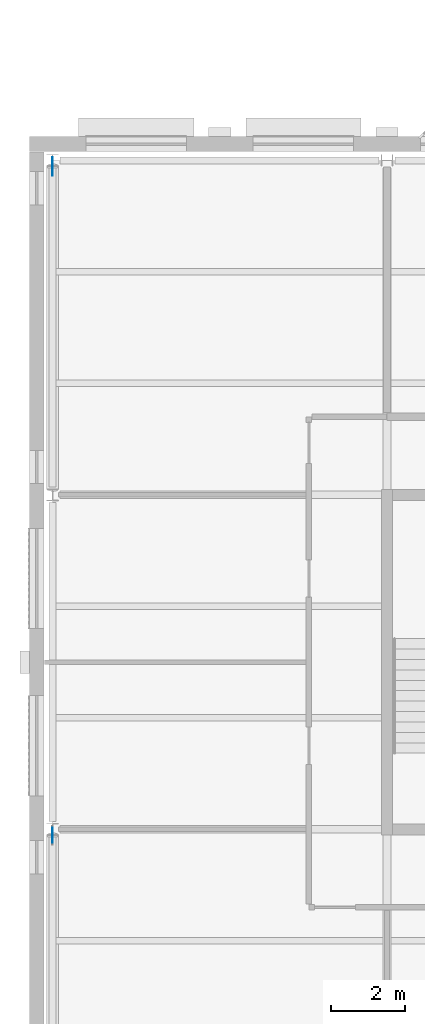
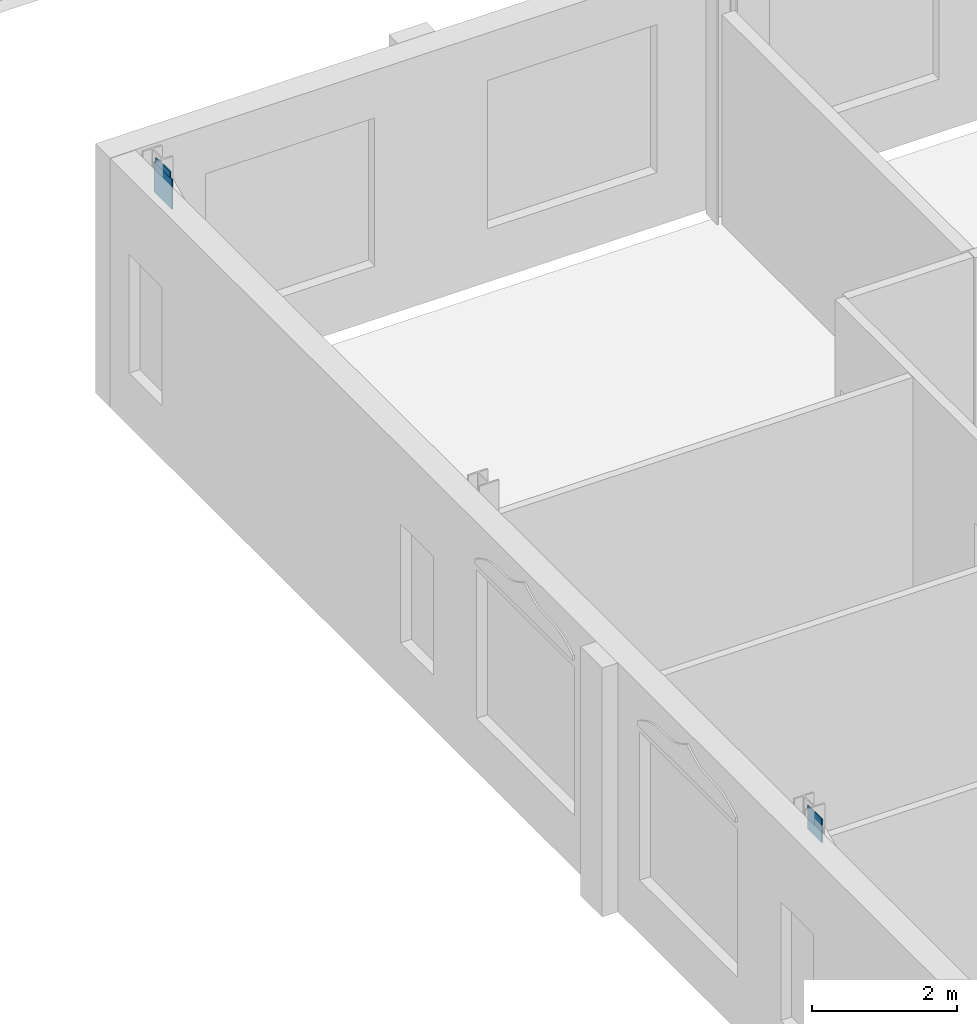
# One storey, part 11 of 15: 3 discrete accessories.
"""IFC4 building model written with IfcOpenShell, lengths in metres."""

from ifc_helpers import new_model, si_unit, direction, frame, origin, origin_2d, place, context, subcontext, project, spatial, rectangle, extrude, material, type_object, element, save


model = new_model("IFC4")

# Units and contexts
model_context = context("Model", 3, precision=1e-05, world=origin(), true_north=direction((0.0, 1.0)))
body_context = subcontext(model_context, "Body", "Model", "MODEL_VIEW")
ifc_project = project(units=[si_unit("LENGTHUNIT", "METRE"), si_unit("AREAUNIT", "SQUARE_METRE"), si_unit("VOLUMEUNIT", "CUBIC_METRE"), si_unit("PLANEANGLEUNIT", "RADIAN"), si_unit("MASSUNIT", "GRAM", prefix="KILO")], contexts=[model_context])

# Site, building, storey
site_placement = place(None, origin())
site = spatial("IfcSite", under=ifc_project, at=site_placement, CompositionType="ELEMENT")
building_placement = place(site_placement, origin())
building = spatial("IfcBuilding", under=site, at=building_placement, Name="Hortulan Conservatory and Botanical Research Centre", CompositionType="ELEMENT")
storey_placement = place(building_placement, frame((0.0, 0.0, 23.39990234375)))
storey = spatial("IfcBuildingStorey", under=building, at=storey_placement, Name="L05", CompositionType="ELEMENT", Elevation=23.39990234375)

# Discrete accessories
ifc_material = material(Name="Steel Grade 300 plate (AS/NZS 3678, 280 MPa minimum yield)", Category="steel")
discrete_accessory_type_1 = type_object("IfcDiscreteAccessoryType", Name="End Plate 400x16", PredefinedType="BRACKET", material=ifc_material)
for number, where, z_axis, x_axis, name in (
    (1, (0.0, 8.83642578125, 3.716552734375), (0.0, 0.0, 1.0), (0.0, -1.0, 0.0), "Brace end plate"),
    (2, (0.0, 26.83642578125, 3.716552734375), (0.0, 0.0, 1.0), (0.0, -1.0, 0.0), "Brace end plate"),
):
    element("IfcDiscreteAccessory", number, at=place(storey_placement, frame(where, z_axis=z_axis, x_axis=x_axis)), inside=storey, type_object=discrete_accessory_type_1, Name=name, PredefinedType="BRACKET", context=body_context, shape_type="SweptSolid", body=[
        extrude(rectangle(XDim=0.39990234375, YDim=0.01611328125, at=origin_2d()), origin(), (0.0, 0.0, 1.0), 0.39990234375),
    ])
discrete_accessory_type_2 = type_object("IfcDiscreteAccessoryType", Name="End Plate 500x20", PredefinedType="BRACKET", material=ifc_material)
discrete_accessory_placement = place(storey_placement, frame((0.0, 26.83642578125, 3.513916015625), z_axis=(0.0, 0.0, 1.0), x_axis=(0.0, -1.0, 0.0)))
element("IfcDiscreteAccessory", 3, at=discrete_accessory_placement, inside=storey, type_object=discrete_accessory_type_2, Name="Brace end plate", PredefinedType="BRACKET", context=body_context, shape_type="SweptSolid", body=[
    extrude(rectangle(XDim=0.5, YDim=0.02001953125, at=origin_2d()), origin(), (0.0, 0.0, 1.0), 0.5),
])

save(model, "model.ifc")
